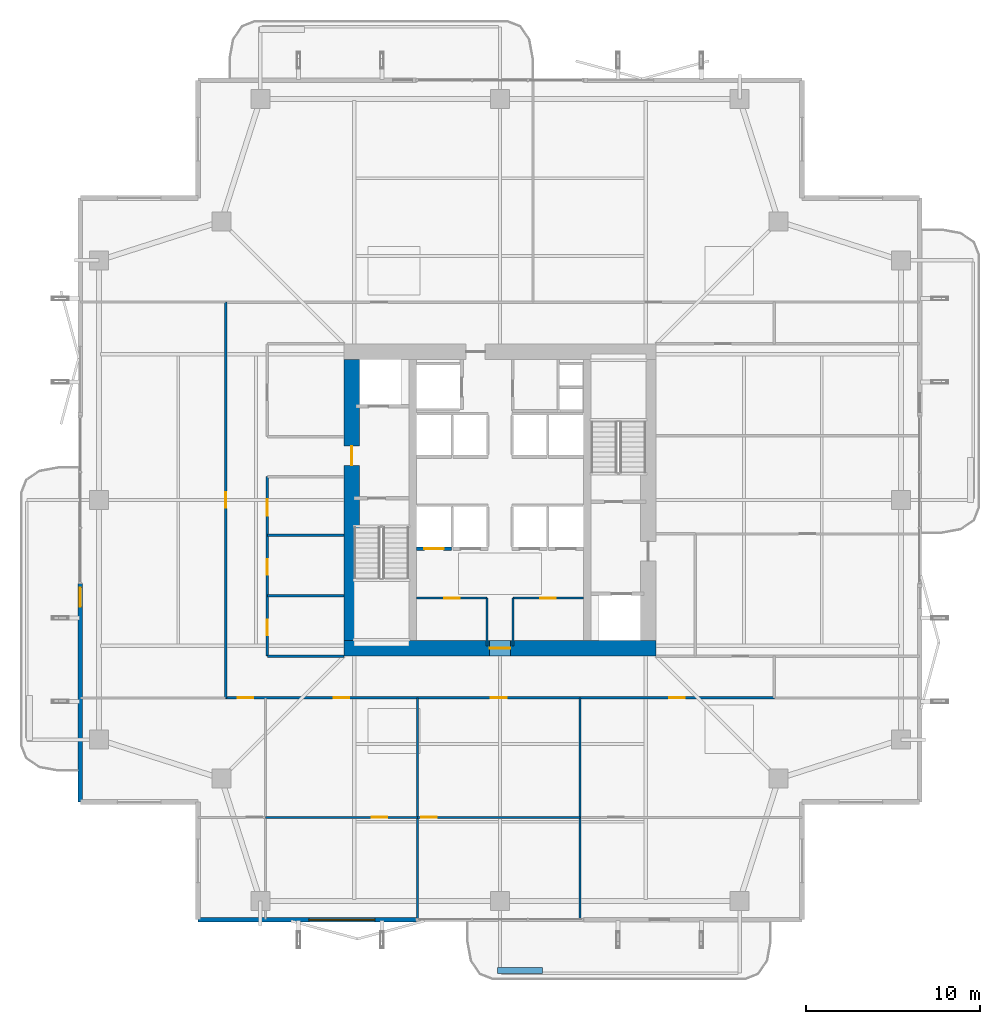
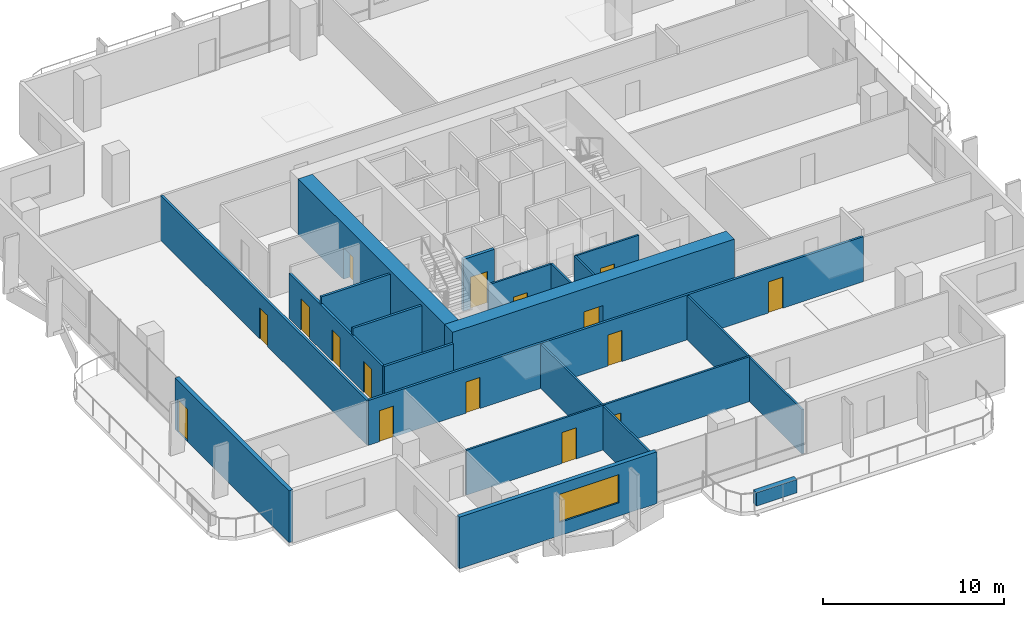
# One storey, part 18 of 24: 20 walls, 16 doors, 1 window, 17 openings.
"""IFC4 building model written with IfcOpenShell, lengths in metres."""

from ifc_helpers import new_model, si_unit, direction, frame, frame_2d, origin, place, context, subcontext, project, spatial, rectangle, extrude, material, layer, layer_set, type_object, element, fill, save


model = new_model("IFC4")

# Units and contexts
model_context = context("Model", 3, precision=1e-05, world=origin(), true_north=direction((0.0, 1.0)))
body_context = subcontext(model_context, "Body", "Model", "MODEL_VIEW")
ifc_project = project(units=[si_unit("LENGTHUNIT", "METRE"), si_unit("AREAUNIT", "SQUARE_METRE"), si_unit("VOLUMEUNIT", "CUBIC_METRE"), si_unit("PLANEANGLEUNIT", "RADIAN"), si_unit("MASSUNIT", "GRAM", prefix="KILO")], contexts=[model_context])

# Site, building, storey
site_placement = place(None, origin())
site = spatial("IfcSite", under=ifc_project, at=site_placement, CompositionType="ELEMENT")
building_placement = place(site_placement, origin())
building = spatial("IfcBuilding", under=site, at=building_placement, Name="Belovzor Exchange Tower", CompositionType="ELEMENT")
storey_placement = place(building_placement, frame((0.0, 0.0, 168.300048828125)))
storey = spatial("IfcBuildingStorey", under=building, at=storey_placement, Name="L41", CompositionType="ELEMENT", Elevation=168.300048828125)

# Wall, opening, door
ifc_material_1 = material(Name="Acoustic Plasterboard on Galvanised Studs", Category="gypsum")
ifc_layer_1 = layer(ifc_material_1, 0.1201171875)
ifc_layer_set_1 = layer_set([ifc_layer_1], Name="Acoustic Plasterboard on Galvanised Studs")
wall_type_1 = type_object("IfcWallType", Name="Acoustic Double-Stud Partition Wall 120", PredefinedType="PARTITIONING", material=ifc_layer_set_1)
wall_1_placement = place(storey_placement, frame((15.300048828125, 10.51708984375, 0.0), z_axis=(0.0, 0.0, 1.0), x_axis=(1.0, 0.0, 0.0)))
wall_1 = element("IfcWall", 1, at=wall_1_placement, inside=storey, type_object=wall_type_1, Name="W-P120 Partition Wall W-L41-SHDIV-1", PredefinedType="PARTITIONING", context=body_context, shape_type="SweptSolid", body=[
    extrude(rectangle(XDim=8.7529296875, YDim=0.1201171875, at=frame_2d((4.37646484375, 0.0))), origin(), (0.0, 0.0, 1.0), 3.030029296875),
])
opening_1_placement = place(wall_1_placement, frame((6.10009765625, 0.0, 0.0)))
opening_1 = element("IfcOpeningElement", 2, at=opening_1_placement, cuts=wall_1, Name="Opening D-INT-090", PredefinedType="OPENING", context=body_context, shape_type="SweptSolid", body=[
    extrude(rectangle(XDim=0.89990234375, YDim=2.10009765625, at=frame_2d((0.449951171875, 1.050048828125))), frame((0.0, 0.070068359375, 0.0), z_axis=(0.0, -1.0, 0.0), x_axis=(1.0, 0.0, 0.0)), (0.0, 0.0, 1.0), 0.14013671875),
])
ifc_material_2 = material(Name="Veneered Hardwood Acoustic Leaf", Category="wood")
door_type_1 = type_object("IfcDoorType", Name="Trading Suite Acoustic Single Door 900x2100", OperationType="NOTDEFINED", PredefinedType="DOOR", material=ifc_material_2)
door_1_placement = place(opening_1_placement, origin())
door_1 = element("IfcDoor", 3, at=door_1_placement, inside=storey, type_object=door_type_1, Name="D-INT-090 Trading Suite Acoustic Single Door 900x2100", OperationType="SINGLE_SWING_LEFT", OverallHeight=2.10009765625, OverallWidth=0.89990234375, PredefinedType="DOOR", context=body_context, shape_type="SweptSolid", body=[
    extrude(rectangle(XDim=0.89990234375, YDim=2.10009765625, at=frame_2d((0.449951171875, 1.050048828125))), frame((0.0, 0.02490234375, 0.0), z_axis=(0.0, -1.0, 0.0), x_axis=(1.0, 0.0, 0.0)), (0.0, 0.0, 1.0), 0.050048828125),
])
fill(opening_1, door_1)

# Wall
wall_2_placement = place(storey_placement, frame((24.052978515625, 4.6298828125, 0.0), z_axis=(0.0, 0.0, 1.0), x_axis=(0.0, 1.0, 0.0)))
element("IfcWall", 4, at=wall_2_placement, inside=storey, type_object=wall_type_1, Name="W-P120 Partition Wall W-L41-SDIV-2", PredefinedType="PARTITIONING", context=body_context, shape_type="SweptSolid", body=[
    extrude(rectangle(XDim=12.77001953125, YDim=0.1201171875, at=frame_2d((6.385009765625, 0.0))), origin(), (0.0, 0.0, 1.0), 2.97998046875),
])

# Wall, opening, door
wall_3_placement = place(storey_placement, frame((24.052978515625, 10.51708984375, 0.0), z_axis=(0.0, 0.0, 1.0), x_axis=(1.0, 0.0, 0.0)))
wall_3 = element("IfcWall", 5, at=wall_3_placement, inside=storey, type_object=wall_type_1, Name="W-P120 Partition Wall W-L41-SHDIV-2", PredefinedType="PARTITIONING", context=body_context, shape_type="SweptSolid", body=[
    extrude(rectangle(XDim=9.35107421875, YDim=0.1201171875, at=frame_2d((4.675537109375, 0.0))), origin(), (0.0, 0.0, 1.0), 3.030029296875),
])
opening_2_placement = place(wall_3_placement, frame((0.199951171875, 0.0, 0.0)))
opening_2 = element("IfcOpeningElement", 6, at=opening_2_placement, cuts=wall_3, Name="Opening D-INT-090", PredefinedType="OPENING", context=body_context, shape_type="SweptSolid", body=[
    extrude(rectangle(XDim=0.89990234375, YDim=2.10009765625, at=frame_2d((0.449951171875, 1.050048828125))), frame((0.0, 0.070068359375, 0.0), z_axis=(0.0, -1.0, 0.0), x_axis=(1.0, 0.0, 0.0)), (0.0, 0.0, 1.0), 0.14013671875),
])
door_2_placement = place(opening_2_placement, origin())
door_2 = element("IfcDoor", 7, at=door_2_placement, inside=storey, type_object=door_type_1, Name="D-INT-090 Trading Suite Acoustic Single Door 900x2100", OperationType="SINGLE_SWING_LEFT", OverallHeight=2.10009765625, OverallWidth=0.89990234375, PredefinedType="DOOR", context=body_context, shape_type="SweptSolid", body=[
    extrude(rectangle(XDim=0.89990234375, YDim=2.10009765625, at=frame_2d((0.449951171875, 1.050048828125))), frame((0.0, 0.02490234375, 0.0), z_axis=(0.0, -1.0, 0.0), x_axis=(1.0, 0.0, 0.0)), (0.0, 0.0, 1.0), 0.050048828125),
])
fill(opening_2, door_2)

# Wall
wall_4_placement = place(storey_placement, frame((33.404052734375, 4.6298828125, 0.0), z_axis=(0.0, 0.0, 1.0), x_axis=(0.0, 1.0, 0.0)))
element("IfcWall", 8, at=wall_4_placement, inside=storey, type_object=wall_type_1, Name="W-P120 Partition Wall W-L41-SDIV-3", PredefinedType="PARTITIONING", context=body_context, shape_type="SweptSolid", body=[
    extrude(rectangle(XDim=12.77001953125, YDim=0.1201171875, at=frame_2d((6.385009765625, 0.0))), origin(), (0.0, 0.0, 1.0), 2.97998046875),
])

# Wall, opening, door
ifc_material_3 = material(Name="Fire-Rated Plasterboard on Galvanised Studs", Category="gypsum")
ifc_layer_2 = layer(ifc_material_3, 0.1201171875)
ifc_layer_set_2 = layer_set([ifc_layer_2], Name="Fire-Rated Plasterboard on Galvanised Studs")
wall_type_2 = type_object("IfcWallType", Name="Fire-Rated Double-Stud Partition Wall 120", PredefinedType="PARTITIONING", material=ifc_layer_set_2)
wall_5_placement = place(storey_placement, frame((24.0, 23.14990234375, 0.0), z_axis=(0.0, 0.0, 1.0), x_axis=(1.0, 0.0, 0.0)))
wall_5 = element("IfcWall", 9, at=wall_5_placement, inside=storey, type_object=wall_type_2, Name="W-P120F Partition Wall W-CRL-L41-WN", PredefinedType="PARTITIONING", context=body_context, shape_type="SweptSolid", body=[
    extrude(rectangle(XDim=4.050048828125, YDim=0.1201171875, at=frame_2d((2.02490234375, 0.0))), origin(), (0.0, 0.0, 1.0), 3.494873046875),
])
opening_3_placement = place(wall_5_placement, frame((1.574951171875, 0.0, 0.0)))
opening_3 = element("IfcOpeningElement", 10, at=opening_3_placement, cuts=wall_5, Name="Opening D-FD60-090", PredefinedType="OPENING", context=body_context, shape_type="SweptSolid", body=[
    extrude(rectangle(XDim=0.89990234375, YDim=2.10009765625, at=frame_2d((0.449951171875, 1.050048828125))), frame((0.0, 0.070068359375, 0.0), z_axis=(0.0, -1.0, 0.0), x_axis=(1.0, 0.0, 0.0)), (0.0, 0.0, 1.0), 0.14013671875),
])
ifc_material_4 = material(Name="Acoustic Timber Fire Leaf", Category="wood")
door_type_2 = type_object("IfcDoorType", Name="Core Service & Restroom Fire Door 900x2100", OperationType="NOTDEFINED", PredefinedType="DOOR", material=ifc_material_4)
door_3_placement = place(opening_3_placement, origin())
door_3 = element("IfcDoor", 11, at=door_3_placement, inside=storey, type_object=door_type_2, Name="D-FD60-090 Core Service & Restroom Fire Door 900x2100", OperationType="SINGLE_SWING_LEFT", OverallHeight=2.10009765625, OverallWidth=0.89990234375, PredefinedType="DOOR", context=body_context, shape_type="SweptSolid", body=[
    extrude(rectangle(XDim=0.89990234375, YDim=2.10009765625, at=frame_2d((0.449951171875, 1.050048828125))), frame((0.0, 0.02490234375, 0.0), z_axis=(0.0, -1.0, 0.0), x_axis=(1.0, 0.0, 0.0)), (0.0, 0.0, 1.0), 0.050048828125),
])
fill(opening_3, door_3)

# Wall
wall_6_placement = place(storey_placement, frame((28.050048828125, 20.39990234375, 0.0), z_axis=(0.0, 0.0, 1.0), x_axis=(0.0, 1.0, 0.0)))
element("IfcWall", 12, at=wall_6_placement, inside=storey, type_object=wall_type_2, Name="W-P120F Partition Wall W-CRL-L41-WE", PredefinedType="PARTITIONING", context=body_context, shape_type="SweptSolid", body=[
    extrude(rectangle(XDim=2.75, YDim=0.1201171875, at=frame_2d((1.375, 0.0))), origin(), (0.0, 0.0, 1.0), 3.494873046875),
])

# Wall, opening, door
wall_7_placement = place(storey_placement, frame((29.550048828125, 23.14990234375, 0.0), z_axis=(0.0, 0.0, 1.0), x_axis=(1.0, 0.0, 0.0)))
wall_7 = element("IfcWall", 13, at=wall_7_placement, inside=storey, type_object=wall_type_2, Name="W-P120F Partition Wall W-CRL-L41-EN", PredefinedType="PARTITIONING", context=body_context, shape_type="SweptSolid", body=[
    extrude(rectangle(XDim=4.050048828125, YDim=0.1201171875, at=frame_2d((2.02490234375, 0.0))), origin(), (0.0, 0.0, 1.0), 3.494873046875),
])
opening_4_placement = place(wall_7_placement, frame((1.574951171875, 0.0, 0.0)))
opening_4 = element("IfcOpeningElement", 14, at=opening_4_placement, cuts=wall_7, Name="Opening D-FD60-090", PredefinedType="OPENING", context=body_context, shape_type="SweptSolid", body=[
    extrude(rectangle(XDim=0.89990234375, YDim=2.10009765625, at=frame_2d((0.449951171875, 1.050048828125))), frame((0.0, 0.070068359375, 0.0), z_axis=(0.0, -1.0, 0.0), x_axis=(1.0, 0.0, 0.0)), (0.0, 0.0, 1.0), 0.14013671875),
])
door_4_placement = place(opening_4_placement, origin())
door_4 = element("IfcDoor", 15, at=door_4_placement, inside=storey, type_object=door_type_2, Name="D-FD60-090 Core Service & Restroom Fire Door 900x2100", OperationType="SINGLE_SWING_RIGHT", OverallHeight=2.10009765625, OverallWidth=0.89990234375, PredefinedType="DOOR", context=body_context, shape_type="SweptSolid", body=[
    extrude(rectangle(XDim=0.89990234375, YDim=2.10009765625, at=frame_2d((0.449951171875, 1.050048828125))), frame((0.0, 0.02490234375, 0.0), z_axis=(0.0, -1.0, 0.0), x_axis=(1.0, 0.0, 0.0)), (0.0, 0.0, 1.0), 0.050048828125),
])
fill(opening_4, door_4)

# Walls
wall_8_placement = place(storey_placement, frame((29.550048828125, 20.39990234375, 0.0), z_axis=(0.0, 0.0, 1.0), x_axis=(0.0, 1.0, 0.0)))
element("IfcWall", 16, at=wall_8_placement, inside=storey, type_object=wall_type_2, Name="W-P120F Partition Wall W-CRL-L41-EW", PredefinedType="PARTITIONING", context=body_context, shape_type="SweptSolid", body=[
    extrude(rectangle(XDim=2.75, YDim=0.1201171875, at=frame_2d((1.375, 0.0))), origin(), (0.0, 0.0, 1.0), 3.494873046875),
])
ifc_material_5 = material(Name="Fire-Rated Gypsum Block and Mineral Wool", Category="gypsum")
ifc_layer_3 = layer(ifc_material_5, 0.14990234375)
ifc_layer_set_3 = layer_set([ifc_layer_3], Name="Fire-Rated Gypsum Block and Mineral Wool")
wall_type_3 = type_object("IfcWallType", Name="Fire-Rated Gypsum Block Corridor Wall 150", PredefinedType="PARTITIONING", material=ifc_layer_set_3)
wall_9_placement = place(storey_placement, frame((15.39990234375, 19.800048828125, 0.0), z_axis=(0.0, 0.0, 1.0), x_axis=(1.0, 0.0, 0.0)))
element("IfcWall", 17, at=wall_9_placement, inside=storey, type_object=wall_type_3, Name="W-P150 Partition Wall W-L41-WIC-S", PredefinedType="PARTITIONING", context=body_context, shape_type="SweptSolid", body=[
    extrude(rectangle(XDim=4.400146484375, YDim=0.14990234375, at=frame_2d((2.2001953125, 0.0))), origin(), (0.0, 0.0, 1.0), 3.030029296875),
])
for number, where, z_axis, x_axis, name in (
    (18, (15.39990234375, 23.27490234375, 0.0), (0.0, 0.0, 1.0), (1.0, 0.0, 0.0), "W-P150 Partition Wall W-L41-WIC-D1"),
    (19, (15.39990234375, 26.77490234375, 0.0), (0.0, 0.0, 1.0), (1.0, 0.0, 0.0), "W-P150 Partition Wall W-L41-WIC-D2"),
):
    element("IfcWall", number, at=place(storey_placement, frame(where, z_axis=z_axis, x_axis=x_axis)), inside=storey, type_object=wall_type_3, Name=name, PredefinedType="PARTITIONING", context=body_context, shape_type="SweptSolid", body=[
        extrude(rectangle(XDim=4.400146484375, YDim=0.14990234375, at=frame_2d((2.2001953125, 0.0))), origin(), (0.0, 0.0, 1.0), 3.494873046875),
    ])

# Wall, openings, doors
wall_10_placement = place(storey_placement, frame((15.39990234375, 19.800048828125, 0.0), z_axis=(0.0, 0.0, 1.0), x_axis=(0.0, 1.0, 0.0)))
wall_10 = element("IfcWall", 20, at=wall_10_placement, inside=storey, type_object=wall_type_3, Name="W-P150 Partition Wall W-L41-WIE-S", PredefinedType="PARTITIONING", context=body_context, shape_type="SweptSolid", body=[
    extrude(rectangle(XDim=10.349853515625, YDim=0.14990234375, at=frame_2d((5.1748046875, 0.0))), origin(), (0.0, 0.0, 1.0), 3.030029296875),
])
opening_5_placement = place(wall_10_placement, frame((1.199951171875, 0.0, 0.0)))
opening_5 = element("IfcOpeningElement", 21, at=opening_5_placement, cuts=wall_10, Name="Opening D-FD60-090", PredefinedType="OPENING", context=body_context, shape_type="SweptSolid", body=[
    extrude(rectangle(XDim=0.89990234375, YDim=2.10009765625, at=frame_2d((0.449951171875, 1.050048828125))), frame((0.0, 0.0849609375, 0.0), z_axis=(0.0, -1.0, 0.0), x_axis=(1.0, 0.0, 0.0)), (0.0, 0.0, 1.0), 0.169921875),
])
opening_6_placement = place(wall_10_placement, frame((4.699951171875, 0.0, 0.0)))
opening_6 = element("IfcOpeningElement", 22, at=opening_6_placement, cuts=wall_10, Name="Opening D-FD60-090", PredefinedType="OPENING", context=body_context, shape_type="SweptSolid", body=[
    extrude(rectangle(XDim=0.89990234375, YDim=2.10009765625, at=frame_2d((0.449951171875, 1.050048828125))), frame((0.0, 0.0849609375, 0.0), z_axis=(0.0, -1.0, 0.0), x_axis=(1.0, 0.0, 0.0)), (0.0, 0.0, 1.0), 0.169921875),
])
opening_7_placement = place(wall_10_placement, frame((8.10009765625, 0.0, 0.0)))
opening_7 = element("IfcOpeningElement", 23, at=opening_7_placement, cuts=wall_10, Name="Opening D-FD60-095", PredefinedType="OPENING", context=body_context, shape_type="SweptSolid", body=[
    extrude(rectangle(XDim=0.949951171875, YDim=2.10009765625, at=frame_2d((0.47509765625, 1.050048828125))), frame((0.0, 0.0849609375, 0.0), z_axis=(0.0, -1.0, 0.0), x_axis=(1.0, 0.0, 0.0)), (0.0, 0.0, 1.0), 0.169921875),
])
ifc_material_6 = material(Name="Moisture-Resistant Timber Fire Leaf", Category="wood")
door_type_3 = type_object("IfcDoorType", Name="Accessible Restroom Wide Fire Door 950x2100", OperationType="NOTDEFINED", PredefinedType="DOOR", material=ifc_material_6)
door_5_placement = place(opening_7_placement, origin())
door_5 = element("IfcDoor", 24, at=door_5_placement, inside=storey, type_object=door_type_3, Name="D-FD60-095 Accessible Restroom Wide Fire Door 950x2100", OperationType="SINGLE_SWING_LEFT", OverallHeight=2.10009765625, OverallWidth=0.949951171875, PredefinedType="DOOR", context=body_context, shape_type="SweptSolid", body=[
    extrude(rectangle(XDim=0.949951171875, YDim=2.10009765625, at=frame_2d((0.47509765625, 1.050048828125))), frame((0.0, 0.02490234375, 0.0), z_axis=(0.0, -1.0, 0.0), x_axis=(1.0, 0.0, 0.0)), (0.0, 0.0, 1.0), 0.050048828125),
])
fill(opening_7, door_5)
door_6_placement = place(opening_5_placement, origin())
door_6 = element("IfcDoor", 25, at=door_6_placement, inside=storey, type_object=door_type_2, Name="D-FD60-090 Core Service & Restroom Fire Door 900x2100", OperationType="SINGLE_SWING_LEFT", OverallHeight=2.10009765625, OverallWidth=0.89990234375, PredefinedType="DOOR", context=body_context, shape_type="SweptSolid", body=[
    extrude(rectangle(XDim=0.89990234375, YDim=2.10009765625, at=frame_2d((0.449951171875, 1.050048828125))), frame((0.0, 0.02490234375, 0.0), z_axis=(0.0, -1.0, 0.0), x_axis=(1.0, 0.0, 0.0)), (0.0, 0.0, 1.0), 0.050048828125),
])
fill(opening_5, door_6)
door_7_placement = place(opening_6_placement, origin())
door_7 = element("IfcDoor", 26, at=door_7_placement, inside=storey, type_object=door_type_2, Name="D-FD60-090 Core Service & Restroom Fire Door 900x2100", OperationType="SINGLE_SWING_RIGHT", OverallHeight=2.10009765625, OverallWidth=0.89990234375, PredefinedType="DOOR", context=body_context, shape_type="SweptSolid", body=[
    extrude(rectangle(XDim=0.89990234375, YDim=2.10009765625, at=frame_2d((0.449951171875, 1.050048828125))), frame((0.0, 0.02490234375, 0.0), z_axis=(0.0, -1.0, 0.0), x_axis=(1.0, 0.0, 0.0)), (0.0, 0.0, 1.0), 0.050048828125),
])
fill(opening_6, door_7)

wall_11_placement = place(storey_placement, frame((13.0, 17.39990234375, 0.0), z_axis=(0.0, 0.0, 1.0), x_axis=(1.0, 0.0, 0.0)))
wall_11 = element("IfcWall", 27, at=wall_11_placement, inside=storey, type_object=wall_type_3, Name="W-P150 Partition Wall W-L41-CS", PredefinedType="PARTITIONING", context=body_context, shape_type="SweptSolid", body=[
    extrude(rectangle(XDim=31.60009765625, YDim=0.14990234375, at=frame_2d((15.800048828125, 0.0))), origin(), (0.0, 0.0, 1.0), 3.030029296875),
])
opening_8_placement = place(wall_11_placement, frame((0.699951171875, 0.0, 0.0)))
opening_8 = element("IfcOpeningElement", 28, at=opening_8_placement, cuts=wall_11, Name="Opening D-INT-090", PredefinedType="OPENING", context=body_context, shape_type="SweptSolid", body=[
    extrude(rectangle(XDim=0.89990234375, YDim=2.10009765625, at=frame_2d((0.449951171875, 1.050048828125))), frame((0.0, 0.0849609375, 0.0), z_axis=(0.0, -1.0, 0.0), x_axis=(1.0, 0.0, 0.0)), (0.0, 0.0, 1.0), 0.169921875),
])
opening_9_placement = place(wall_11_placement, frame((6.22705078125, 0.0, 0.0)))
opening_9 = element("IfcOpeningElement", 29, at=opening_9_placement, cuts=wall_11, Name="Opening D-INT-090", PredefinedType="OPENING", context=body_context, shape_type="SweptSolid", body=[
    extrude(rectangle(XDim=0.89990234375, YDim=2.10009765625, at=frame_2d((0.449951171875, 1.050048828125))), frame((0.0, 0.0849609375, 0.0), z_axis=(0.0, -1.0, 0.0), x_axis=(1.0, 0.0, 0.0)), (0.0, 0.0, 1.0), 0.169921875),
])
opening_10_placement = place(wall_11_placement, frame((15.279052734375, 0.0, 0.0)))
opening_10 = element("IfcOpeningElement", 30, at=opening_10_placement, cuts=wall_11, Name="Opening D-INT-090", PredefinedType="OPENING", context=body_context, shape_type="SweptSolid", body=[
    extrude(rectangle(XDim=0.89990234375, YDim=2.10009765625, at=frame_2d((0.449951171875, 1.050048828125))), frame((0.0, 0.0849609375, 0.0), z_axis=(0.0, -1.0, 0.0), x_axis=(1.0, 0.0, 0.0)), (0.0, 0.0, 1.0), 0.169921875),
])
opening_11_placement = place(wall_11_placement, frame((25.552001953125, 0.0, 0.0)))
opening_11 = element("IfcOpeningElement", 31, at=opening_11_placement, cuts=wall_11, Name="Opening D-INT-090", PredefinedType="OPENING", context=body_context, shape_type="SweptSolid", body=[
    extrude(rectangle(XDim=0.89990234375, YDim=2.10009765625, at=frame_2d((0.449951171875, 1.050048828125))), frame((0.0, 0.0849609375, 0.0), z_axis=(0.0, -1.0, 0.0), x_axis=(1.0, 0.0, 0.0)), (0.0, 0.0, 1.0), 0.169921875),
])
door_8_placement = place(opening_8_placement, origin())
door_8 = element("IfcDoor", 32, at=door_8_placement, inside=storey, type_object=door_type_1, Name="D-INT-090 Trading Suite Acoustic Single Door 900x2100", OperationType="SINGLE_SWING_RIGHT", OverallHeight=2.10009765625, OverallWidth=0.89990234375, PredefinedType="DOOR", context=body_context, shape_type="SweptSolid", body=[
    extrude(rectangle(XDim=0.89990234375, YDim=2.10009765625, at=frame_2d((0.449951171875, 1.050048828125))), frame((0.0, 0.02490234375, 0.0), z_axis=(0.0, -1.0, 0.0), x_axis=(1.0, 0.0, 0.0)), (0.0, 0.0, 1.0), 0.050048828125),
])
fill(opening_8, door_8)
door_9_placement = place(opening_9_placement, origin())
door_9 = element("IfcDoor", 33, at=door_9_placement, inside=storey, type_object=door_type_1, Name="D-INT-090 Trading Suite Acoustic Single Door 900x2100", OperationType="SINGLE_SWING_LEFT", OverallHeight=2.10009765625, OverallWidth=0.89990234375, PredefinedType="DOOR", context=body_context, shape_type="SweptSolid", body=[
    extrude(rectangle(XDim=0.89990234375, YDim=2.10009765625, at=frame_2d((0.449951171875, 1.050048828125))), frame((0.0, 0.02490234375, 0.0), z_axis=(0.0, -1.0, 0.0), x_axis=(1.0, 0.0, 0.0)), (0.0, 0.0, 1.0), 0.050048828125),
])
fill(opening_9, door_9)
door_10_placement = place(opening_10_placement, origin())
door_10 = element("IfcDoor", 34, at=door_10_placement, inside=storey, type_object=door_type_1, Name="D-INT-090 Trading Suite Acoustic Single Door 900x2100", OperationType="SINGLE_SWING_RIGHT", OverallHeight=2.10009765625, OverallWidth=0.89990234375, PredefinedType="DOOR", context=body_context, shape_type="SweptSolid", body=[
    extrude(rectangle(XDim=0.89990234375, YDim=2.10009765625, at=frame_2d((0.449951171875, 1.050048828125))), frame((0.0, 0.02490234375, 0.0), z_axis=(0.0, -1.0, 0.0), x_axis=(1.0, 0.0, 0.0)), (0.0, 0.0, 1.0), 0.050048828125),
])
fill(opening_10, door_10)
door_11_placement = place(opening_11_placement, origin())
door_11 = element("IfcDoor", 35, at=door_11_placement, inside=storey, type_object=door_type_1, Name="D-INT-090 Trading Suite Acoustic Single Door 900x2100", OperationType="SINGLE_SWING_LEFT", OverallHeight=2.10009765625, OverallWidth=0.89990234375, PredefinedType="DOOR", context=body_context, shape_type="SweptSolid", body=[
    extrude(rectangle(XDim=0.89990234375, YDim=2.10009765625, at=frame_2d((0.449951171875, 1.050048828125))), frame((0.0, 0.02490234375, 0.0), z_axis=(0.0, -1.0, 0.0), x_axis=(1.0, 0.0, 0.0)), (0.0, 0.0, 1.0), 0.050048828125),
])
fill(opening_11, door_11)

# Wall, opening, door
wall_12_placement = place(storey_placement, frame((13.0, 17.39990234375, 0.0), z_axis=(0.0, 0.0, 1.0), x_axis=(0.0, 1.0, 0.0)))
wall_12 = element("IfcWall", 36, at=wall_12_placement, inside=storey, type_object=wall_type_3, Name="W-P150 Partition Wall W-L41-CWO", PredefinedType="PARTITIONING", context=body_context, shape_type="SweptSolid", body=[
    extrude(rectangle(XDim=22.800048828125, YDim=0.14990234375, at=frame_2d((11.39990234375, 0.0))), origin(), (0.0, 0.0, 1.0), 3.030029296875),
])
opening_12_placement = place(wall_12_placement, frame((10.949951171875, 0.0, 0.0)))
opening_12 = element("IfcOpeningElement", 37, at=opening_12_placement, cuts=wall_12, Name="Opening D-INT-090", PredefinedType="OPENING", context=body_context, shape_type="SweptSolid", body=[
    extrude(rectangle(XDim=0.89990234375, YDim=2.10009765625, at=frame_2d((0.449951171875, 1.050048828125))), frame((0.0, 0.0849609375, 0.0), z_axis=(0.0, -1.0, 0.0), x_axis=(1.0, 0.0, 0.0)), (0.0, 0.0, 1.0), 0.169921875),
])
door_12_placement = place(opening_12_placement, origin())
door_12 = element("IfcDoor", 38, at=door_12_placement, inside=storey, type_object=door_type_1, Name="D-INT-090 Trading Suite Acoustic Single Door 900x2100", OperationType="SINGLE_SWING_LEFT", OverallHeight=2.10009765625, OverallWidth=0.89990234375, PredefinedType="DOOR", context=body_context, shape_type="SweptSolid", body=[
    extrude(rectangle(XDim=0.89990234375, YDim=2.10009765625, at=frame_2d((0.449951171875, 1.050048828125))), frame((0.0, 0.02490234375, 0.0), z_axis=(0.0, -1.0, 0.0), x_axis=(1.0, 0.0, 0.0)), (0.0, 0.0, 1.0), 0.050048828125),
])
fill(opening_12, door_12)

# Wall, opening, window
ifc_material_7 = material(Name="Precast concrete C40/50", Category="concrete")
ifc_layer_4 = layer(ifc_material_7, 0.260009765625)
ifc_layer_set_4 = layer_set([ifc_layer_4], Name="Precast concrete C40/50")
wall_type_4 = type_object("IfcWallType", Name="Precast Concrete Perimeter Loggia Frame Wall 260", PredefinedType="SOLIDWALL", material=ifc_layer_set_4)
wall_13_placement = place(storey_placement, frame((24.0, 4.6298828125, 0.0), z_axis=(0.0, 0.0, 1.0), x_axis=(-1.0, 0.0, 0.0)))
wall_13 = element("IfcWall", 39, at=wall_13_placement, inside=storey, type_object=wall_type_4, Name="W-EXT260 Precast Concrete Perimeter Loggia Frame Wall 260 L41", PredefinedType="SOLIDWALL", context=body_context, shape_type="SweptSolid", body=[
    extrude(rectangle(XDim=12.60009765625, YDim=0.260009765625, at=frame_2d((6.300048828125, 0.0))), origin(), (0.0, 0.0, 1.0), 3.494873046875),
])
opening_13_placement = place(wall_13_placement, frame((2.405029296875, 0.0, 0.89990234375)))
opening_13 = element("IfcOpeningElement", 40, at=opening_13_placement, cuts=wall_13, Name="Opening WN-RIB380", PredefinedType="OPENING", context=body_context, shape_type="SweptSolid", body=[
    extrude(rectangle(XDim=3.800048828125, YDim=1.89990234375, at=frame_2d((1.89990234375, 0.949951171875))), frame((0.0, 0.139892578125, 0.0), z_axis=(0.0, -1.0, 0.0), x_axis=(1.0, 0.0, 0.0)), (0.0, 0.0, 1.0), 0.280029296875),
])
ifc_material_8 = material(Name="Thermally Broken Aluminium and Triple Glazing", Category="aluminium")
window_type = type_object("IfcWindowType", Name="Streamline Moderne Horizontal Ribbon Window 3800x1900", PartitioningType="SINGLE_PANEL", PredefinedType="WINDOW", material=ifc_material_8)
window_placement = place(opening_13_placement, origin())
window = element("IfcWindow", 41, at=window_placement, inside=storey, type_object=window_type, Name="WN-RIB380 Streamline Moderne Horizontal Ribbon Window 3800x1900", OverallHeight=1.89990234375, OverallWidth=3.800048828125, PartitioningType="SINGLE_PANEL", PredefinedType="WINDOW", context=body_context, shape_type="SweptSolid", body=[
    extrude(rectangle(XDim=3.800048828125, YDim=1.89990234375, at=frame_2d((1.89990234375, 0.949951171875))), frame((0.0, 0.030029296875, 0.0), z_axis=(0.0, -1.0, 0.0), x_axis=(1.0, 0.0, 0.0)), (0.0, 0.0, 1.0), 0.06005859375),
])
fill(opening_13, window)

# Wall, opening, door
wall_14_placement = place(storey_placement, frame((4.6298828125, 11.39990234375, 0.0), z_axis=(0.0, 0.0, 1.0), x_axis=(0.0, 1.0, 0.0)))
wall_14 = element("IfcWall", 42, at=wall_14_placement, inside=storey, type_object=wall_type_4, Name="W-EXT260 Precast Concrete Perimeter Loggia Frame Wall 260 L41", PredefinedType="SOLIDWALL", context=body_context, shape_type="SweptSolid", body=[
    extrude(rectangle(XDim=12.60009765625, YDim=0.260009765625, at=frame_2d((6.300048828125, 0.0))), origin(), (0.0, 0.0, 1.0), 3.494873046875),
])
opening_14_placement = place(wall_14_placement, frame((11.25, 0.0, 0.0)))
opening_14 = element("IfcOpeningElement", 43, at=opening_14_placement, cuts=wall_14, Name="Opening D-BAL110", PredefinedType="OPENING", context=body_context, shape_type="SweptSolid", body=[
    extrude(rectangle(XDim=1.10009765625, YDim=2.199951171875, at=frame_2d((0.550048828125, 1.10009765625))), frame((0.0, 0.139892578125, 0.0), z_axis=(0.0, -1.0, 0.0), x_axis=(1.0, 0.0, 0.0)), (0.0, 0.0, 1.0), 0.280029296875),
])
ifc_material_9 = material(Name="Thermally Broken Anodised Aluminium and Laminated Glass", Category="aluminium")
door_type_4 = type_object("IfcDoorType", Name="Planted Loggia Terrace Glazed Door 1100x2200", OperationType="SINGLE_SWING_LEFT", PredefinedType="DOOR", material=ifc_material_9)
door_13_placement = place(opening_14_placement, origin())
door_13 = element("IfcDoor", 44, at=door_13_placement, inside=storey, type_object=door_type_4, Name="D-BAL110 Balcony Terrace Door L41 W", OperationType="SINGLE_SWING_RIGHT", OverallHeight=2.199951171875, OverallWidth=1.10009765625, PredefinedType="DOOR", context=body_context, shape_type="SweptSolid", body=[
    extrude(rectangle(XDim=1.10009765625, YDim=2.199951171875, at=frame_2d((0.550048828125, 1.10009765625))), frame((0.0, 0.02490234375, 0.0), z_axis=(0.0, -1.0, 0.0), x_axis=(1.0, 0.0, 0.0)), (0.0, 0.0, 1.0), 0.050048828125),
])
fill(opening_14, door_13)

# Wall
ifc_material_10 = material(Name="Precast concrete C40/50", Category="concrete")
ifc_layer_5 = layer(ifc_material_10, 0.35009765625)
ifc_layer_set_5 = layer_set([ifc_layer_5], Name="Precast concrete C40/50")
wall_type_5 = type_object("IfcWallType", Name="Precast Concrete Structural Tree Planter Trough 350", PredefinedType="PARAPET", material=ifc_layer_set_5)
wall_15_placement = place(storey_placement, frame((28.64990234375, 1.699951171875, 0.0), z_axis=(0.0, 0.0, 1.0), x_axis=(1.0, 0.0, 0.0)))
element("IfcWall", 45, at=wall_15_placement, inside=storey, type_object=wall_type_5, Name="PT-350 Precast Concrete Structural Tree Planter Trough 350 L41", PredefinedType="PARAPET", context=body_context, shape_type="SweptSolid", body=[
    extrude(rectangle(XDim=2.60009765625, YDim=0.35009765625, at=frame_2d((1.300048828125, 0.0))), origin(), (0.0, 0.0, 1.0), 0.89990234375),
])

# Wall, opening, door
ifc_material_11 = material(Name="Concrete C50/60", Category="concrete")
ifc_layer_6 = layer(ifc_material_11, 0.199951171875)
ifc_layer_set_6 = layer_set([ifc_layer_6], Name="Concrete C50/60")
wall_type_6 = type_object("IfcWallType", Name="Reinforced Concrete Core Shaft Shear Wall 200", PredefinedType="SHEAR", material=ifc_layer_set_6)
wall_16_placement = place(storey_placement, frame((24.0, 26.0, 0.0), z_axis=(0.0, 0.0, 1.0), x_axis=(1.0, 0.0, 0.0)))
wall_16 = element("IfcWall", 46, at=wall_16_placement, inside=storey, type_object=wall_type_6, Name="W-C200S Core Shaft Wall W-SH-L41-PL-M1", PredefinedType="SHEAR", context=body_context, shape_type="SweptSolid", body=[
    extrude(rectangle(XDim=2.0, YDim=0.199951171875, at=frame_2d((1.0, 0.0))), origin(), (0.0, 0.0, 1.0), 3.494873046875),
])
opening_15_placement = place(wall_16_placement, frame((0.449951171875, 0.0, 0.0)))
opening_15 = element("IfcOpeningElement", 47, at=opening_15_placement, cuts=wall_16, Name="Opening LD-110", PredefinedType="OPENING", context=body_context, shape_type="SweptSolid", body=[
    extrude(rectangle(XDim=1.10009765625, YDim=2.14990234375, at=frame_2d((0.550048828125, 1.074951171875))), frame((0.0, 0.10986328125, 0.0), z_axis=(0.0, -1.0, 0.0), x_axis=(1.0, 0.0, 0.0)), (0.0, 0.0, 1.0), 0.219970703125),
])
ifc_material_12 = material(Name="Stainless Steel Grade 304", Category="steel")
door_type_5 = type_object("IfcDoorType", Name="Automated Stainless Steel Lift Landing Door 1100x2150", OperationType="SLIDING_TO_RIGHT", PredefinedType="DOOR", material=ifc_material_12)
door_14_placement = place(opening_15_placement, origin())
door_14 = element("IfcDoor", 48, at=door_14_placement, inside=storey, type_object=door_type_5, Name="LD-110 Automated Stainless Steel Lift Landing Door 1100x2150", OperationType="SLIDING_TO_RIGHT", OverallHeight=2.14990234375, OverallWidth=1.10009765625, PredefinedType="DOOR", context=body_context, shape_type="SweptSolid", body=[
    extrude(rectangle(XDim=1.10009765625, YDim=2.14990234375, at=frame_2d((0.550048828125, 1.074951171875))), frame((0.0, 0.02490234375, 0.0), z_axis=(0.0, -1.0, 0.0), x_axis=(1.0, 0.0, 0.0)), (0.0, 0.0, 1.0), 0.050048828125),
])
fill(opening_15, door_14)

ifc_material_13 = material(Name="Concrete C60/75", Category="concrete")
ifc_layer_7 = layer(ifc_material_13, 0.89990234375)
ifc_layer_set_7 = layer_set([ifc_layer_7], Name="Concrete C60/75")
wall_type_7 = type_object("IfcWallType", Name="Reinforced Concrete Core Shear Wall 900", PredefinedType="SHEAR", material=ifc_layer_set_7)
wall_17_placement = place(storey_placement, frame((19.800048828125, 20.25, 0.0), z_axis=(0.0, 0.0, 1.0), x_axis=(1.0, 0.0, 0.0)))
wall_17 = element("IfcWall", 49, at=wall_17_placement, inside=storey, type_object=wall_type_7, Name="CW-S090 Core Shear Wall L41 S", PredefinedType="SHEAR", context=body_context, shape_type="SweptSolid", body=[
    extrude(rectangle(XDim=18.0, YDim=0.89990234375, at=frame_2d((9.0, 0.0))), origin(), (0.0, 0.0, 1.0), 3.75),
])
opening_16_placement = place(wall_17_placement, frame((8.39990234375, 0.0, 0.0)))
opening_16 = element("IfcOpeningElement", 50, at=opening_16_placement, cuts=wall_17, Name="Opening D-FD90-120", PredefinedType="OPENING", context=body_context, shape_type="SweptSolid", body=[
    extrude(rectangle(XDim=1.199951171875, YDim=2.199951171875, at=frame_2d((0.60009765625, 1.10009765625))), frame((0.0, 0.4599609375, 0.0), z_axis=(0.0, -1.0, 0.0), x_axis=(1.0, 0.0, 0.0)), (0.0, 0.0, 1.0), 0.919921875),
])
ifc_material_14 = material(Name="Fire-Rated Galvanised Steel Leaf", Category="steel")
door_type_6 = type_object("IfcDoorType", Name="Heavy Plant & Foyer Fire Door 1200x2200", OperationType="NOTDEFINED", PredefinedType="DOOR", material=ifc_material_14)
door_15_placement = place(opening_16_placement, origin())
door_15 = element("IfcDoor", 51, at=door_15_placement, inside=storey, type_object=door_type_6, Name="D-FD90-120 Heavy Plant & Foyer Fire Door 1200x2200", OperationType="SINGLE_SWING_LEFT", OverallHeight=2.199951171875, OverallWidth=1.199951171875, PredefinedType="DOOR", context=body_context, shape_type="SweptSolid", body=[
    extrude(rectangle(XDim=1.199951171875, YDim=2.199951171875, at=frame_2d((0.60009765625, 1.10009765625))), frame((0.0, 0.02490234375, 0.0), z_axis=(0.0, -1.0, 0.0), x_axis=(1.0, 0.0, 0.0)), (0.0, 0.0, 1.0), 0.050048828125),
])
fill(opening_16, door_15)

wall_18_placement = place(storey_placement, frame((20.25, 20.699951171875, 0.0), z_axis=(0.0, 0.0, 1.0), x_axis=(0.0, 1.0, 0.0)))
wall_18 = element("IfcWall", 52, at=wall_18_placement, inside=storey, type_object=wall_type_7, Name="CW-S090 Core Shear Wall L41 W", PredefinedType="SHEAR", context=body_context, shape_type="SweptSolid", body=[
    extrude(rectangle(XDim=16.199951171875, YDim=0.89990234375, at=frame_2d((8.10009765625, 0.0))), origin(), (0.0, 0.0, 1.0), 3.75),
])
opening_17_placement = place(wall_18_placement, frame((10.10009765625, 0.0, 0.0)))
opening_17 = element("IfcOpeningElement", 53, at=opening_17_placement, cuts=wall_18, Name="Opening D-FD90-110", PredefinedType="OPENING", context=body_context, shape_type="SweptSolid", body=[
    extrude(rectangle(XDim=1.10009765625, YDim=2.14990234375, at=frame_2d((0.550048828125, 1.074951171875))), frame((0.0, 0.4599609375, 0.0), z_axis=(0.0, -1.0, 0.0), x_axis=(1.0, 0.0, 0.0)), (0.0, 0.0, 1.0), 0.919921875),
])
ifc_material_15 = material(Name="Fire-Rated Galvanised Steel Leaf", Category="steel")
door_type_7 = type_object("IfcDoorType", Name="Protected Escape Vestibule Fire Door 1100x2150", OperationType="NOTDEFINED", PredefinedType="DOOR", material=ifc_material_15)
door_16_placement = place(opening_17_placement, origin())
door_16 = element("IfcDoor", 54, at=door_16_placement, inside=storey, type_object=door_type_7, Name="D-FD90-110 Protected Escape Vestibule Fire Door 1100x2150", OperationType="SINGLE_SWING_LEFT", OverallHeight=2.14990234375, OverallWidth=1.10009765625, PredefinedType="DOOR", context=body_context, shape_type="SweptSolid", body=[
    extrude(rectangle(XDim=1.10009765625, YDim=2.14990234375, at=frame_2d((0.550048828125, 1.074951171875))), frame((0.0, 0.02490234375, 0.0), z_axis=(0.0, -1.0, 0.0), x_axis=(1.0, 0.0, 0.0)), (0.0, 0.0, 1.0), 0.050048828125),
])
fill(opening_17, door_16)

save(model, "model.ifc")
